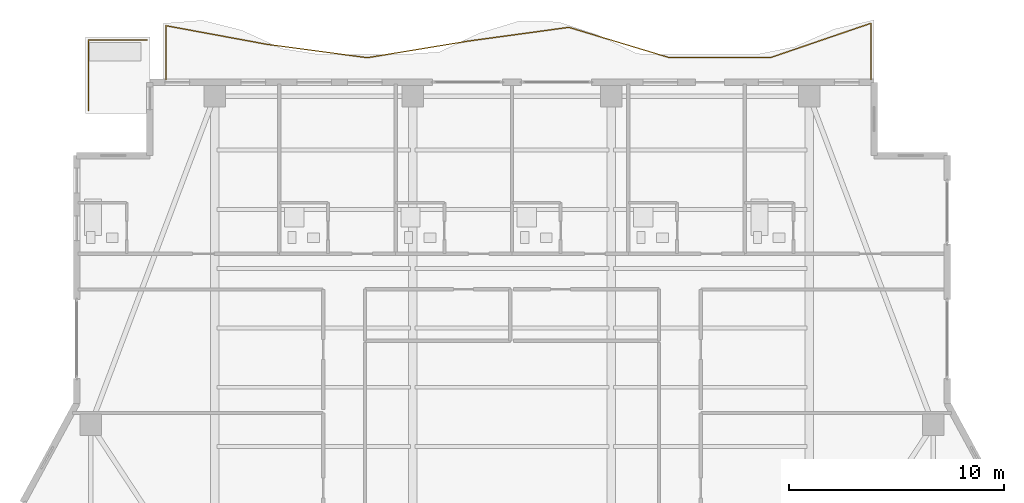
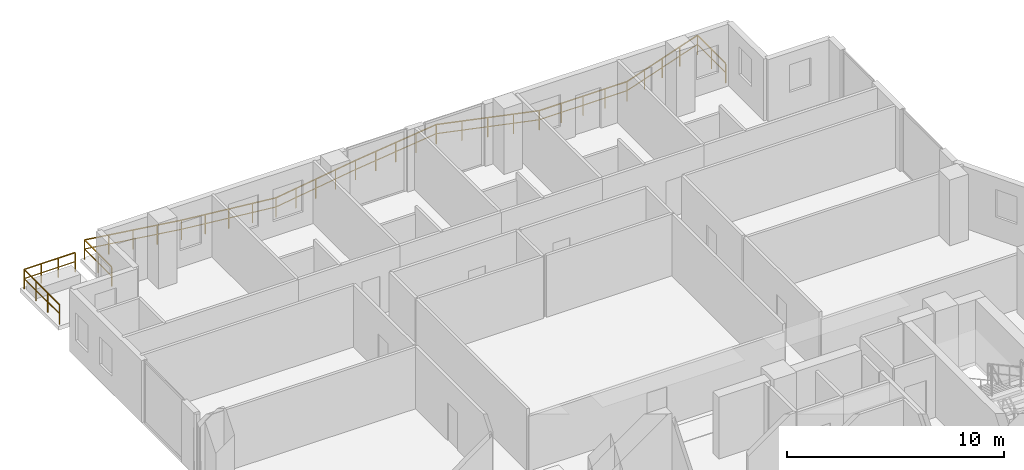
# One storey, part 23 of 24: 2 railings.
"""IFC4 building model written with IfcOpenShell, lengths in metres."""

from ifc_helpers import new_model, si_unit, direction, frame, origin, origin_2d, place, context, subcontext, project, spatial, rectangle, extrude, material, type_object, element, save


model = new_model("IFC4")

# Units and contexts
model_context = context("Model", 3, precision=1e-05, world=origin(), true_north=direction((0.0, 1.0)))
body_context = subcontext(model_context, "Body", "Model", "MODEL_VIEW")
ifc_project = project(units=[si_unit("LENGTHUNIT", "METRE"), si_unit("AREAUNIT", "SQUARE_METRE"), si_unit("VOLUMEUNIT", "CUBIC_METRE"), si_unit("PLANEANGLEUNIT", "RADIAN"), si_unit("MASSUNIT", "GRAM", prefix="KILO")], contexts=[model_context])

# Site, building, storey
site_placement = place(None, origin())
site = spatial("IfcSite", under=ifc_project, at=site_placement, CompositionType="ELEMENT")
building_placement = place(site_placement, origin())
building = spatial("IfcBuilding", under=site, at=building_placement, Name="Zuhayl Quay Hotel", CompositionType="ELEMENT")
storey_placement = place(building_placement, frame((0.0, 0.0, 276.64990234375)))
storey = spatial("IfcBuildingStorey", under=building, at=storey_placement, Name="L70", CompositionType="ELEMENT", Elevation=276.64990234375)

# Railings
ifc_material = material(Name="Anodised Aluminium and Laminated Glass", Category="aluminium")
railing_type = type_object("IfcRailingType", Name="RL_EXT_BAL_1100", PredefinedType="BALUSTRADE", material=ifc_material)
railing_1_placement = place(storey_placement, frame((-16.06005859375, 39.1201171875, 0.0)))
element("IfcRailing", 1, at=railing_1_placement, inside=storey, type_object=railing_type, Name="L70 Balcony and Terrace Guard GR_L70_BAL_N", PredefinedType="BALUSTRADE", context=body_context, shape_type="SweptSolid", body=[
    extrude(rectangle(XDim=0.048095703125, YDim=0.048095703125, at=origin_2d()), frame((0.0, 0.0, 1.09619140625), z_axis=(0.0, 1.0, 0.0), x_axis=(-1.0, 0.0, 0.0)), (0.0, 0.0, 1.0), 2.505126953125),
    extrude(rectangle(XDim=0.0361328125, YDim=0.0361328125, at=origin_2d()), frame((0.0, 0.0, 0.58251953125), z_axis=(0.0, 1.0, 0.0), x_axis=(-1.0, 0.0, 0.0)), (0.0, 0.0, 1.0), 2.505126953125),
    extrude(rectangle(XDim=0.048095703125, YDim=0.048095703125, at=origin_2d()), frame((0.0, 2.505126953125, 1.09619140625), z_axis=(0.983406436735, -0.181416041708, 0.0), x_axis=(0.181416041708, 0.983406436735, 0.0)), (0.0, 0.0, 1.0), 4.753173828125),
    extrude(rectangle(XDim=0.0361328125, YDim=0.0361328125, at=origin_2d()), frame((0.0, 2.505126953125, 0.58251953125), z_axis=(0.983406436735, -0.181416041708, 0.0), x_axis=(0.181416041708, 0.983406436735, 0.0)), (0.0, 0.0, 1.0), 4.753173828125),
    extrude(rectangle(XDim=0.048095703125, YDim=0.048095703125, at=origin_2d()), frame((4.67431640625, 1.642822265625, 1.09619140625), z_axis=(0.99123332577, -0.13212302556, 0.0), x_axis=(0.13212302556, 0.99123332577, 0.0)), (0.0, 0.0, 1.0), 4.715576171875),
    extrude(rectangle(XDim=0.0361328125, YDim=0.0361328125, at=origin_2d()), frame((4.67431640625, 1.642822265625, 0.58251953125), z_axis=(0.99123332577, -0.13212302556, 0.0), x_axis=(0.13212302556, 0.99123332577, 0.0)), (0.0, 0.0, 1.0), 4.715576171875),
    extrude(rectangle(XDim=0.048095703125, YDim=0.048095703125, at=origin_2d()), frame((9.3486328125, 1.019775390625, 1.09619140625), z_axis=(0.986701392903, 0.162543413413, 0.0), x_axis=(-0.162543413413, 0.986701392903, 0.0)), (0.0, 0.0, 1.0), 4.7373046875),
    extrude(rectangle(XDim=0.0361328125, YDim=0.0361328125, at=origin_2d()), frame((9.3486328125, 1.019775390625, 0.58251953125), z_axis=(0.986701392903, 0.162543413413, 0.0), x_axis=(-0.162543413413, 0.986701392903, 0.0)), (0.0, 0.0, 1.0), 4.7373046875),
    extrude(rectangle(XDim=0.048095703125, YDim=0.048095703125, at=origin_2d()), frame((14.02294921875, 1.789794921875, 1.09619140625), z_axis=(0.99080117379, 0.135325659117, 0.0), x_axis=(-0.135325659117, 0.99080117379, 0.0)), (0.0, 0.0, 1.0), 4.7177734375),
    extrude(rectangle(XDim=0.0361328125, YDim=0.0361328125, at=origin_2d()), frame((14.02294921875, 1.789794921875, 0.58251953125), z_axis=(0.99080117379, 0.135325659117, 0.0), x_axis=(-0.135325659117, 0.99080117379, 0.0)), (0.0, 0.0, 1.0), 4.7177734375),
    extrude(rectangle(XDim=0.048095703125, YDim=0.048095703125, at=origin_2d()), frame((18.697265625, 2.42822265625, 1.09619140625), z_axis=(0.957474570879, -0.288517670379, 0.0), x_axis=(0.288517670379, 0.957474570879, 0.0)), (0.0, 0.0, 1.0), 4.881591796875),
    extrude(rectangle(XDim=0.0361328125, YDim=0.0361328125, at=origin_2d()), frame((18.697265625, 2.42822265625, 0.58251953125), z_axis=(0.957474570879, -0.288517670379, 0.0), x_axis=(0.288517670379, 0.957474570879, 0.0)), (0.0, 0.0, 1.0), 4.881591796875),
    extrude(rectangle(XDim=0.048095703125, YDim=0.048095703125, at=origin_2d()), frame((23.371337890625, 1.019775390625, 1.09619140625), z_axis=(1.0, 0.0, 0.0), x_axis=(0.0, 1.0, 0.0)), (0.0, 0.0, 1.0), 4.67431640625),
    extrude(rectangle(XDim=0.0361328125, YDim=0.0361328125, at=origin_2d()), frame((23.371337890625, 1.019775390625, 0.58251953125), z_axis=(1.0, 0.0, 0.0), x_axis=(0.0, 1.0, 0.0)), (0.0, 0.0, 1.0), 4.67431640625),
    extrude(rectangle(XDim=0.048095703125, YDim=0.048095703125, at=origin_2d()), frame((28.045654296875, 1.019775390625, 1.09619140625), z_axis=(0.946193455269, 0.323601522255, 0.0), x_axis=(-0.323601522255, 0.946193455269, 0.0)), (0.0, 0.0, 1.0), 4.940185546875),
    extrude(rectangle(XDim=0.0361328125, YDim=0.0361328125, at=origin_2d()), frame((28.045654296875, 1.019775390625, 0.58251953125), z_axis=(0.946193455269, 0.323601522255, 0.0), x_axis=(-0.323601522255, 0.946193455269, 0.0)), (0.0, 0.0, 1.0), 4.940185546875),
    extrude(rectangle(XDim=0.048095703125, YDim=0.048095703125, at=origin_2d()), frame((32.719970703125, 2.618408203125, 1.09619140625), z_axis=(0.0, -1.0, 0.0), x_axis=(1.0, 0.0, 0.0)), (0.0, 0.0, 1.0), 2.618408203125),
    extrude(rectangle(XDim=0.0361328125, YDim=0.0361328125, at=origin_2d()), frame((32.719970703125, 2.618408203125, 0.58251953125), z_axis=(0.0, -1.0, 0.0), x_axis=(1.0, 0.0, 0.0)), (0.0, 0.0, 1.0), 2.618408203125),
    extrude(rectangle(XDim=0.0419921875, YDim=0.0419921875, at=origin_2d()), origin(), (0.0, 0.0, 1.0), 1.072021484375),
    extrude(rectangle(XDim=0.0419921875, YDim=0.0419921875, at=origin_2d()), frame((0.0, 1.25244140625, 0.0)), (0.0, 0.0, 1.0), 1.072021484375),
    extrude(rectangle(XDim=0.0419921875, YDim=0.0419921875, at=origin_2d()), frame((0.0, 2.505126953125, 0.0)), (0.0, 0.0, 1.0), 1.072021484375),
    extrude(rectangle(XDim=0.0419921875, YDim=0.0419921875, at=origin_2d()), frame((1.16845703125, 2.28955078125, 0.0)), (0.0, 0.0, 1.0), 1.072021484375),
    extrude(rectangle(XDim=0.0419921875, YDim=0.0419921875, at=origin_2d()), frame((2.337158203125, 2.073974609375, 0.0)), (0.0, 0.0, 1.0), 1.072021484375),
    extrude(rectangle(XDim=0.0419921875, YDim=0.0419921875, at=origin_2d()), frame((3.505859375, 1.8583984375, 0.0)), (0.0, 0.0, 1.0), 1.072021484375),
    extrude(rectangle(XDim=0.0419921875, YDim=0.0419921875, at=origin_2d()), frame((4.67431640625, 1.642822265625, 0.0)), (0.0, 0.0, 1.0), 1.072021484375),
    extrude(rectangle(XDim=0.0419921875, YDim=0.0419921875, at=origin_2d()), frame((5.8427734375, 1.487060546875, 0.0)), (0.0, 0.0, 1.0), 1.072021484375),
    extrude(rectangle(XDim=0.0419921875, YDim=0.0419921875, at=origin_2d()), frame((7.011474609375, 1.331298828125, 0.0)), (0.0, 0.0, 1.0), 1.072021484375),
    extrude(rectangle(XDim=0.0419921875, YDim=0.0419921875, at=origin_2d()), frame((8.18017578125, 1.175537109375, 0.0)), (0.0, 0.0, 1.0), 1.072021484375),
    extrude(rectangle(XDim=0.0419921875, YDim=0.0419921875, at=origin_2d()), frame((9.3486328125, 1.019775390625, 0.0)), (0.0, 0.0, 1.0), 1.072021484375),
    extrude(rectangle(XDim=0.0419921875, YDim=0.0419921875, at=origin_2d()), frame((10.51708984375, 1.21240234375, 0.0)), (0.0, 0.0, 1.0), 1.072021484375),
    extrude(rectangle(XDim=0.0419921875, YDim=0.0419921875, at=origin_2d()), frame((11.685791015625, 1.40478515625, 0.0)), (0.0, 0.0, 1.0), 1.072021484375),
    extrude(rectangle(XDim=0.0419921875, YDim=0.0419921875, at=origin_2d()), frame((12.8544921875, 1.59716796875, 0.0)), (0.0, 0.0, 1.0), 1.072021484375),
    extrude(rectangle(XDim=0.0419921875, YDim=0.0419921875, at=origin_2d()), frame((14.02294921875, 1.789794921875, 0.0)), (0.0, 0.0, 1.0), 1.072021484375),
    extrude(rectangle(XDim=0.0419921875, YDim=0.0419921875, at=origin_2d()), frame((15.19140625, 1.949462890625, 0.0)), (0.0, 0.0, 1.0), 1.072021484375),
    extrude(rectangle(XDim=0.0419921875, YDim=0.0419921875, at=origin_2d()), frame((16.360107421875, 2.10888671875, 0.0)), (0.0, 0.0, 1.0), 1.072021484375),
    extrude(rectangle(XDim=0.0419921875, YDim=0.0419921875, at=origin_2d()), frame((17.52880859375, 2.2685546875, 0.0)), (0.0, 0.0, 1.0), 1.072021484375),
    extrude(rectangle(XDim=0.0419921875, YDim=0.0419921875, at=origin_2d()), frame((18.697265625, 2.42822265625, 0.0)), (0.0, 0.0, 1.0), 1.072021484375),
    extrude(rectangle(XDim=0.0419921875, YDim=0.0419921875, at=origin_2d()), frame((19.86572265625, 2.076171875, 0.0)), (0.0, 0.0, 1.0), 1.072021484375),
    extrude(rectangle(XDim=0.0419921875, YDim=0.0419921875, at=origin_2d()), frame((21.0341796875, 1.72412109375, 0.0)), (0.0, 0.0, 1.0), 1.072021484375),
    extrude(rectangle(XDim=0.0419921875, YDim=0.0419921875, at=origin_2d()), frame((22.202880859375, 1.371826171875, 0.0)), (0.0, 0.0, 1.0), 1.072021484375),
    extrude(rectangle(XDim=0.0419921875, YDim=0.0419921875, at=origin_2d()), frame((23.371337890625, 1.019775390625, 0.0)), (0.0, 0.0, 1.0), 1.072021484375),
    extrude(rectangle(XDim=0.0419921875, YDim=0.0419921875, at=origin_2d()), frame((24.5400390625, 1.019775390625, 0.0)), (0.0, 0.0, 1.0), 1.072021484375),
    extrude(rectangle(XDim=0.0419921875, YDim=0.0419921875, at=origin_2d()), frame((25.70849609375, 1.019775390625, 0.0)), (0.0, 0.0, 1.0), 1.072021484375),
    extrude(rectangle(XDim=0.0419921875, YDim=0.0419921875, at=origin_2d()), frame((26.876953125, 1.019775390625, 0.0)), (0.0, 0.0, 1.0), 1.072021484375),
    extrude(rectangle(XDim=0.0419921875, YDim=0.0419921875, at=origin_2d()), frame((28.045654296875, 1.019775390625, 0.0)), (0.0, 0.0, 1.0), 1.072021484375),
    extrude(rectangle(XDim=0.0419921875, YDim=0.0419921875, at=origin_2d()), frame((29.21435546875, 1.41943359375, 0.0)), (0.0, 0.0, 1.0), 1.072021484375),
    extrude(rectangle(XDim=0.0419921875, YDim=0.0419921875, at=origin_2d()), frame((30.3828125, 1.819091796875, 0.0)), (0.0, 0.0, 1.0), 1.072021484375),
    extrude(rectangle(XDim=0.0419921875, YDim=0.0419921875, at=origin_2d()), frame((31.55126953125, 2.21875, 0.0)), (0.0, 0.0, 1.0), 1.072021484375),
    extrude(rectangle(XDim=0.0419921875, YDim=0.0419921875, at=origin_2d()), frame((32.719970703125, 2.618408203125, 0.0)), (0.0, 0.0, 1.0), 1.072021484375),
    extrude(rectangle(XDim=0.0419921875, YDim=0.0419921875, at=origin_2d()), frame((32.719970703125, 1.30908203125, 0.0)), (0.0, 0.0, 1.0), 1.072021484375),
    extrude(rectangle(XDim=0.0419921875, YDim=0.0419921875, at=origin_2d()), frame((32.719970703125, 0.0, 0.0)), (0.0, 0.0, 1.0), 1.072021484375),
])
railing_2_placement = place(storey_placement, frame((-16.93994140625, 40.9599609375, 0.0)))
element("IfcRailing", 2, at=railing_2_placement, inside=storey, type_object=railing_type, Name="L70 Balcony and Terrace Guard GR_L70_SPIRAL_NW", PredefinedType="BALUSTRADE", context=body_context, shape_type="SweptSolid", body=[
    extrude(rectangle(XDim=0.048095703125, YDim=0.048095703125, at=origin_2d()), frame((0.0, 0.0, 1.09619140625), z_axis=(-1.0, 0.0, 0.0), x_axis=(0.0, -1.0, 0.0)), (0.0, 0.0, 1.0), 2.719970703125),
    extrude(rectangle(XDim=0.0361328125, YDim=0.0361328125, at=origin_2d()), frame((0.0, 0.0, 0.58251953125), z_axis=(-1.0, 0.0, 0.0), x_axis=(0.0, -1.0, 0.0)), (0.0, 0.0, 1.0), 2.719970703125),
    extrude(rectangle(XDim=0.048095703125, YDim=0.048095703125, at=origin_2d()), frame((-2.719970703125, 0.0, 1.09619140625), z_axis=(0.0, -1.0, 0.0), x_axis=(1.0, 0.0, 0.0)), (0.0, 0.0, 1.0), 3.27001953125),
    extrude(rectangle(XDim=0.0361328125, YDim=0.0361328125, at=origin_2d()), frame((-2.719970703125, 0.0, 0.58251953125), z_axis=(0.0, -1.0, 0.0), x_axis=(1.0, 0.0, 0.0)), (0.0, 0.0, 1.0), 3.27001953125),
    extrude(rectangle(XDim=0.0419921875, YDim=0.0419921875, at=origin_2d()), origin(), (0.0, 0.0, 1.0), 1.072021484375),
    extrude(rectangle(XDim=0.0419921875, YDim=0.0419921875, at=origin_2d()), frame((-0.90673828125, 0.0, 0.0)), (0.0, 0.0, 1.0), 1.072021484375),
    extrude(rectangle(XDim=0.0419921875, YDim=0.0419921875, at=origin_2d()), frame((-1.813232421875, 0.0, 0.0)), (0.0, 0.0, 1.0), 1.072021484375),
    extrude(rectangle(XDim=0.0419921875, YDim=0.0419921875, at=origin_2d()), frame((-2.719970703125, 0.0, 0.0)), (0.0, 0.0, 1.0), 1.072021484375),
    extrude(rectangle(XDim=0.0419921875, YDim=0.0419921875, at=origin_2d()), frame((-2.719970703125, -1.090087890625, 0.0)), (0.0, 0.0, 1.0), 1.072021484375),
    extrude(rectangle(XDim=0.0419921875, YDim=0.0419921875, at=origin_2d()), frame((-2.719970703125, -2.179931640625, 0.0)), (0.0, 0.0, 1.0), 1.072021484375),
    extrude(rectangle(XDim=0.0419921875, YDim=0.0419921875, at=origin_2d()), frame((-2.719970703125, -3.27001953125, 0.0)), (0.0, 0.0, 1.0), 1.072021484375),
])

save(model, "model.ifc")
